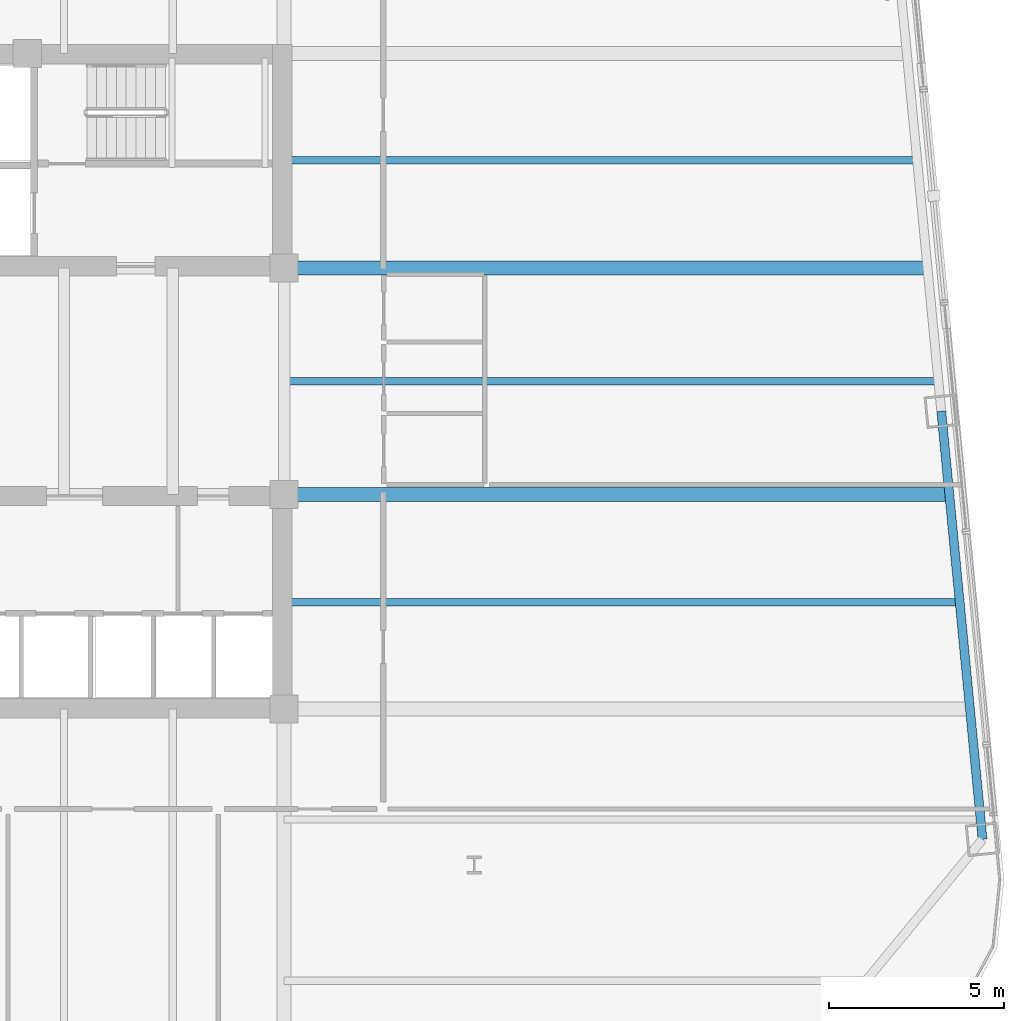
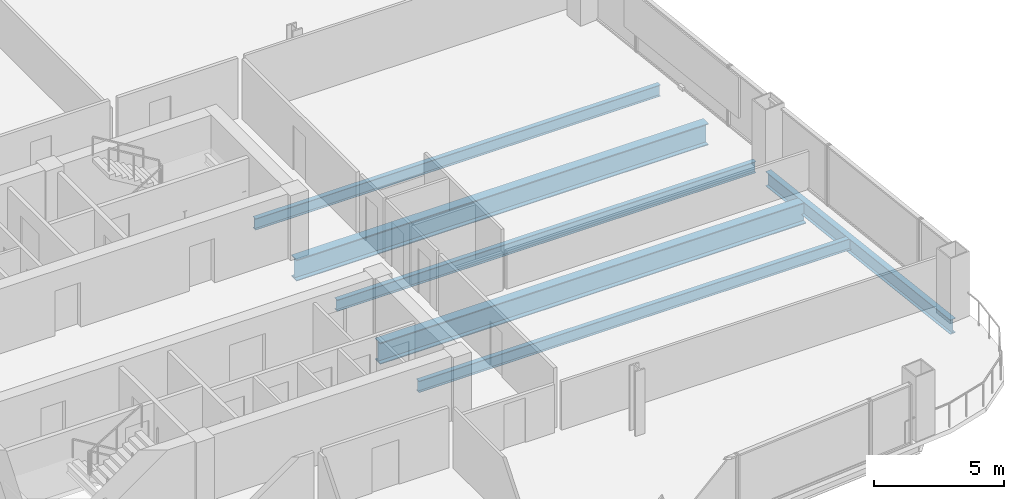
# One storey, part 13 of 28: 6 beams.
"""IFC4 building model written with IfcOpenShell, lengths in metres."""

import ifcopenshell
import ifcopenshell.guid

model = None  # the IFC model being written
_history = None  # IfcOwnerHistory: only IFC2X3 demands one
_inside = {}  # id of a spatial element -> (the spatial element, [elements in it])
_under = {}  # id of a project, library or spatial element -> (it, [spatial elements below it])
_declared = {}  # id of a project -> (the project, [libraries it declares])
_typed = {}  # id of a type object -> (the type object, [elements of that type])
_made_of = {}  # id of a material, layer set ... -> (it, [elements and type objects made of it])


def new_model(schema):
    """Start an empty IFC model of exactly this schema.

    Asked for "IFC4X3", IfcOpenShell would pick the latest addendum, in which some entities
    have other attributes; the version numbers below select the first issue.
    IFC2X3 requires an IfcOwnerHistory on every rooted entity: one is made here for all.
    """
    global model, _history
    if schema == "IFC4X3":
        model = ifcopenshell.file(schema_version=(4, 3, 0, 0))
    else:
        model = ifcopenshell.file(schema=schema)
    _inside.clear()
    _under.clear()
    _declared.clear()
    _typed.clear()
    _made_of.clear()
    _history = None
    if model.schema == "IFC2X3":
        org = make("IfcOrganization", Name="unknown")
        user = make(
            "IfcPersonAndOrganization",
            ThePerson=make("IfcPerson", FamilyName="unknown"),
            TheOrganization=org,
        )
        app = make(
            "IfcApplication",
            ApplicationDeveloper=org,
            Version="unknown",
            ApplicationFullName="unknown",
            ApplicationIdentifier="unknown",
        )
        _history = make(
            "IfcOwnerHistory",
            OwningUser=user,
            OwningApplication=app,
            ChangeAction="ADDED",
            CreationDate=0,
        )
    return model


def make(cls, **values):
    """One entity of the class cls with the attributes given. An attribute that is None is left unset."""
    return model.create_entity(
        cls, **{name: value for name, value in values.items() if value is not None}
    )


def rooted(cls, **values):
    """An entity with a GlobalId (a new one), such as an element, a storey or a relation."""
    return make(cls, GlobalId=ifcopenshell.guid.new(), OwnerHistory=_history, **values)


def si_unit(unit_type, name, prefix=None):
    """IfcSIUnit, for example si_unit("LENGTHUNIT", "METRE", prefix="MILLI")."""
    return make("IfcSIUnit", UnitType=unit_type, Prefix=prefix, Name=name)


def assignment(units):
    """IfcUnitAssignment: the units of a project."""
    return None if units is None else make("IfcUnitAssignment", Units=units)


def point(xyz):
    """IfcCartesianPoint."""
    return None if xyz is None else make("IfcCartesianPoint", Coordinates=xyz)


def direction(xyz):
    """IfcDirection."""
    return None if xyz is None else make("IfcDirection", DirectionRatios=xyz)


def frame(location, z_axis=None, x_axis=None):
    """IfcAxis2Placement3D, a coordinate frame: its origin and axes. An axis left out is left unset."""
    return make(
        "IfcAxis2Placement3D",
        Location=point(location),
        Axis=direction(z_axis),
        RefDirection=direction(x_axis),
    )


def frame_2d(location, x_axis=None):
    """IfcAxis2Placement2D, a coordinate frame in the plane: its origin and x axis."""
    return make(
        "IfcAxis2Placement2D", Location=point(location), RefDirection=direction(x_axis)
    )


def origin():
    """The frame at (0, 0, 0) with its axes left unset."""
    return frame((0.0, 0.0, 0.0))


def origin_2d():
    """The frame at (0, 0) in the plane with its x axis left unset."""
    return frame_2d((0.0, 0.0))


def place(relative_to, where):
    """IfcLocalPlacement: puts the frame where relative to a parent placement (None: the world)."""
    return make(
        "IfcLocalPlacement", PlacementRelTo=relative_to, RelativePlacement=where
    )


def context(
    kind, dimensions, precision=None, world=None, true_north=None, identifier=None
):
    """IfcGeometricRepresentationContext, for example the 3D "Model" context."""
    return make(
        "IfcGeometricRepresentationContext",
        ContextIdentifier=identifier,
        ContextType=kind,
        CoordinateSpaceDimension=dimensions,
        Precision=precision,
        WorldCoordinateSystem=world,
        TrueNorth=true_north,
    )


def subcontext(parent, identifier, kind, view, scale=None):
    """IfcGeometricRepresentationSubContext, for example "Body" below "Model"."""
    return make(
        "IfcGeometricRepresentationSubContext",
        ContextIdentifier=identifier,
        ContextType=kind,
        ParentContext=parent,
        TargetScale=scale,
        TargetView=view,
    )


def project(units=None, contexts=None):
    """IfcProject with its units and contexts."""
    return rooted(
        "IfcProject",
        Name="project",
        RepresentationContexts=contexts,
        UnitsInContext=assignment(units),
    )


def spatial(cls, under=None, at=None, **own):
    """A site, building, storey or space (cls), placed at a placement, below another one or the project."""
    s = rooted(cls, ObjectPlacement=at, **own)
    if under is not None:
        _under.setdefault(under.id(), (under, []))[1].append(s)
    return s


def profile(cls, at=None, kind="AREA", **sizes):
    """A parametric profile (cls). Its sizes go by their IFC names, for example OverallWidth=200.0."""
    return make(cls, ProfileType=kind, Position=at, **sizes)


def i_section(**sizes):
    """IfcIShapeProfileDef."""
    return profile("IfcIShapeProfileDef", **sizes)


def extrude(swept, where, along, depth):
    """IfcExtrudedAreaSolid: the profile swept, set in the frame where, extruded along a direction by depth."""
    return make(
        "IfcExtrudedAreaSolid",
        SweptArea=swept,
        Position=where,
        ExtrudedDirection=direction(along),
        Depth=depth,
    )


def shape(context_of_items, identifier, shape_type, items):
    """IfcShapeRepresentation: the items that make up one representation, for example the "Body"."""
    return make(
        "IfcShapeRepresentation",
        ContextOfItems=context_of_items,
        RepresentationIdentifier=identifier,
        RepresentationType=shape_type,
        Items=items,
    )


def material(Name=None, Category=None):
    """IfcMaterial."""
    return make("IfcMaterial", Name=Name, Category=Category)


def material_profile(
    of_material, cross_section, Name=None, Category=None, Priority=None
):
    """IfcMaterialProfile: a cross section and its material."""
    return make(
        "IfcMaterialProfile",
        Name=Name,
        Material=of_material,
        Profile=cross_section,
        Priority=Priority,
        Category=Category,
    )


def profile_set(profiles, Name=None, composite=None):
    """IfcMaterialProfileSet."""
    return make(
        "IfcMaterialProfileSet",
        Name=Name,
        MaterialProfiles=profiles,
        CompositeProfile=composite,
    )


def made_of(thing, what):
    """Note that an element or type object is made of a material, layer set ...; save() writes the relation."""
    if what is not None:
        _made_of.setdefault(what.id(), (what, []))[1].append(thing)
    return thing


def type_object(cls, material=None, **own):
    """A type object (cls), such as IfcWallType, which elements share."""
    return made_of(rooted(cls, **own), material)


def element(
    cls,
    number,
    at=None,
    inside=None,
    cuts=None,
    type_object=None,
    material=None,
    context=None,
    identifier="Body",
    shape_type=None,
    held_by="IfcProductDefinitionShape",
    body=None,
    shapes=None,
    **own,
):
    """One element of the class cls, such as IfcWall. Its Tag is "e" and its number.

    at: its placement. inside: the storey or other place that contains it. cuts: it is an
    opening in that element (IfcRelVoidsElement). A single representation is given by context,
    identifier, shape_type and body (its items); several are given by shapes. held_by: the class
    of the entity that holds the representations. save() writes the other relations.
    """
    e = rooted(cls, Tag="e%d" % number, ObjectPlacement=at, **own)
    if body is not None:
        shapes = [shape(context, identifier, shape_type, body)]
    if shapes is not None:
        e.Representation = make(held_by, Representations=shapes)
    if inside is not None:
        _inside.setdefault(inside.id(), (inside, []))[1].append(e)
    if cuts is not None:
        rooted(
            "IfcRelVoidsElement", RelatingBuildingElement=cuts, RelatedOpeningElement=e
        )
    if type_object is not None:
        _typed.setdefault(type_object.id(), (type_object, []))[1].append(e)
    return made_of(e, material)


def aggregate(whole, parts):
    """IfcRelAggregates: a whole, such as a stair, and the parts it consists of."""
    return rooted("IfcRelAggregates", RelatingObject=whole, RelatedObjects=parts)


def save(model, path):
    """Write the relations noted so far, then the file.

    IfcRelAggregates (storeys below a building ...), IfcRelContainedInSpatialStructure (elements
    in a storey), IfcRelDefinesByType, IfcRelAssociatesMaterial and IfcRelDeclares: one each for
    every whole, place, type object, material and project.
    """
    for whole, parts in _under.values():
        aggregate(whole, parts)
    for where, things in _inside.values():
        rooted(
            "IfcRelContainedInSpatialStructure",
            RelatedElements=things,
            RelatingStructure=where,
        )
    for kind, things in _typed.values():
        rooted("IfcRelDefinesByType", RelatedObjects=things, RelatingType=kind)
    for what, things in _made_of.values():
        rooted("IfcRelAssociatesMaterial", RelatedObjects=things, RelatingMaterial=what)
    for by, libraries in _declared.values():
        rooted("IfcRelDeclares", RelatingContext=by, RelatedDefinitions=libraries)
    model.write(path)


model = new_model("IFC4")

# Units and contexts
model_context = context("Model", 3, precision=1e-05, world=origin(), true_north=direction((0.0, 1.0)))
body_context = subcontext(model_context, "Body", "Model", "MODEL_VIEW")
ifc_project = project(units=[si_unit("LENGTHUNIT", "METRE"), si_unit("AREAUNIT", "SQUARE_METRE"), si_unit("VOLUMEUNIT", "CUBIC_METRE"), si_unit("PLANEANGLEUNIT", "RADIAN"), si_unit("MASSUNIT", "GRAM", prefix="KILO")], contexts=[model_context])

# Site, building, storey
site_placement = place(None, origin())
site = spatial("IfcSite", under=ifc_project, at=site_placement, CompositionType="ELEMENT")
building_placement = place(site_placement, origin())
building = spatial("IfcBuilding", under=site, at=building_placement, Name="Qhalaya Broadcast Tower", CompositionType="ELEMENT")
storey_placement = place(building_placement, frame((0.0, 0.0, 90.800048828125)))
storey = spatial("IfcBuildingStorey", under=building, at=storey_placement, Name="L26", CompositionType="ELEMENT", Elevation=90.800048828125)

# Beams
ifc_material = material(Name="Structural Steel ASTM A992 Grade 50", Category="steel")
ifc_material_profile_1 = material_profile(ifc_material, i_section(OverallWidth=0.2099609375, OverallDepth=0.535888671875, WebThickness=0.010986328125, FlangeThickness=0.017333984375, at=origin_2d()), Name="W21X68")
ifc_profile_set_1 = profile_set([ifc_material_profile_1], Name="Structural Steel ASTM A992 Grade 50")
beam_type_1 = type_object("IfcBeamType", Name="Composite Floor Joist J02", PredefinedType="JOIST", material=ifc_profile_set_1)
beam_1_placement = place(storey_placement, frame((9.375, -5.699951171875, -0.488037109375), z_axis=(1.0, 0.0, 0.0), x_axis=(0.0, 1.0, 0.0)))
element("IfcBeam", 1, at=beam_1_placement, inside=storey, type_object=beam_type_1, Name="L26 J02 L26-JWE3E-1", PredefinedType="JOIST", context=body_context, shape_type="SweptSolid", body=[
    extrude(i_section(OverallWidth=0.2099609375, OverallDepth=0.535888671875, WebThickness=0.010986328125, FlangeThickness=0.017333984375, at=origin_2d()), origin(), (0.0, 0.0, 1.0), 19.24609375),
])
beam_2_placement = place(storey_placement, frame((9.375, 0.60009765625, -0.488037109375), z_axis=(1.0, 0.0, 0.0), x_axis=(0.0, 1.0, 0.0)))
element("IfcBeam", 2, at=beam_2_placement, inside=storey, type_object=beam_type_1, Name="L26 J02 L26-JWE4E-1", PredefinedType="JOIST", context=body_context, shape_type="SweptSolid", body=[
    extrude(i_section(OverallWidth=0.2099609375, OverallDepth=0.535888671875, WebThickness=0.010986328125, FlangeThickness=0.017333984375, at=origin_2d()), origin(), (0.0, 0.0, 1.0), 18.639404296875),
])
beam_3_placement = place(storey_placement, frame((9.375, 6.89990234375, -0.488037109375), z_axis=(1.0, 0.0, 0.0), x_axis=(0.0, 1.0, 0.0)))
element("IfcBeam", 3, at=beam_3_placement, inside=storey, type_object=beam_type_1, Name="L26 J02 L26-JWE5E-1", PredefinedType="JOIST", context=body_context, shape_type="SweptSolid", body=[
    extrude(i_section(OverallWidth=0.2099609375, OverallDepth=0.535888671875, WebThickness=0.010986328125, FlangeThickness=0.017333984375, at=origin_2d()), origin(), (0.0, 0.0, 1.0), 18.03271484375),
])
ifc_material_profile_2 = material_profile(ifc_material, i_section(OverallWidth=0.40087890625, OverallDepth=1.010986328125, WebThickness=0.023681640625, FlangeThickness=0.0419921875, at=origin_2d()), Name="W40X297")
ifc_profile_set_2 = profile_set([ifc_material_profile_2], Name="Structural Steel ASTM A992 Grade 50")
beam_type_2 = type_object("IfcBeamType", Name="Lower Block Primary Girder PG2", PredefinedType="USERDEFINED", material=ifc_profile_set_2)
beam_4_placement = place(storey_placement, frame((9.375, -2.625, -0.7255859375), z_axis=(1.0, 0.0, 0.0), x_axis=(0.0, 1.0, 0.0)))
element("IfcBeam", 4, at=beam_4_placement, inside=storey, type_object=beam_type_2, Name="L26 PG2 L26-PGYE2-1", ObjectType="GIRDER", PredefinedType="USERDEFINED", context=body_context, shape_type="SweptSolid", body=[
    extrude(i_section(OverallWidth=0.40087890625, OverallDepth=1.010986328125, WebThickness=0.023681640625, FlangeThickness=0.0419921875, at=origin_2d()), origin(), (0.0, 0.0, 1.0), 18.949951171875),
])
beam_5_placement = place(storey_placement, frame((9.375, 3.824951171875, -0.7255859375), z_axis=(1.0, 0.0, 0.0), x_axis=(0.0, 1.0, 0.0)))
element("IfcBeam", 5, at=beam_5_placement, inside=storey, type_object=beam_type_2, Name="L26 PG2 L26-PGYE3-1", ObjectType="GIRDER", PredefinedType="USERDEFINED", context=body_context, shape_type="SweptSolid", body=[
    extrude(i_section(OverallWidth=0.40087890625, OverallDepth=1.010986328125, WebThickness=0.023681640625, FlangeThickness=0.0419921875, at=origin_2d()), origin(), (0.0, 0.0, 1.0), 18.328857421875),
])
ifc_material_profile_3 = material_profile(ifc_material, i_section(OverallWidth=0.25390625, OverallDepth=0.68310546875, WebThickness=0.012451171875, FlangeThickness=0.01904296875, at=origin_2d()), Name="W27X94")
ifc_profile_set_3 = profile_set([ifc_material_profile_3], Name="Structural Steel ASTM A992 Grade 50")
beam_type_3 = type_object("IfcBeamType", Name="Perimeter Ring Spandrel Beam SP1", PredefinedType="SPANDREL", material=ifc_profile_set_3)
beam_6_placement = place(storey_placement, frame((29.29248046875, -12.46533203125, -0.5615234375), z_axis=(-0.095831866369, 0.995397535354, 0.0), x_axis=(-0.995397535354, -0.095831866369, 0.0)))
element("IfcBeam", 6, at=beam_6_placement, inside=storey, type_object=beam_type_3, Name="L26 SP1 L26-SPR-05", PredefinedType="SPANDREL", context=body_context, shape_type="SweptSolid", body=[
    extrude(i_section(OverallWidth=0.25390625, OverallDepth=0.68310546875, WebThickness=0.012451171875, FlangeThickness=0.01904296875, at=origin_2d()), origin(), (0.0, 0.0, 1.0), 12.2666015625),
])

save(model, "model.ifc")
